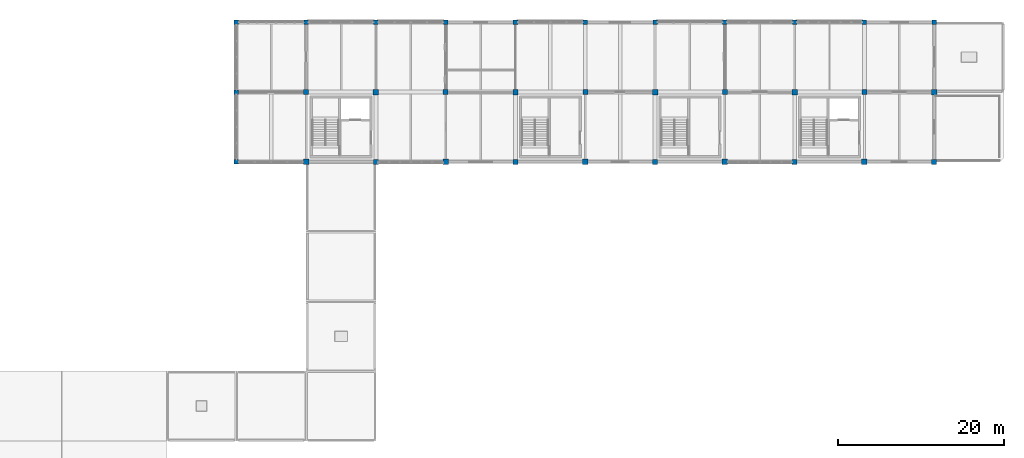
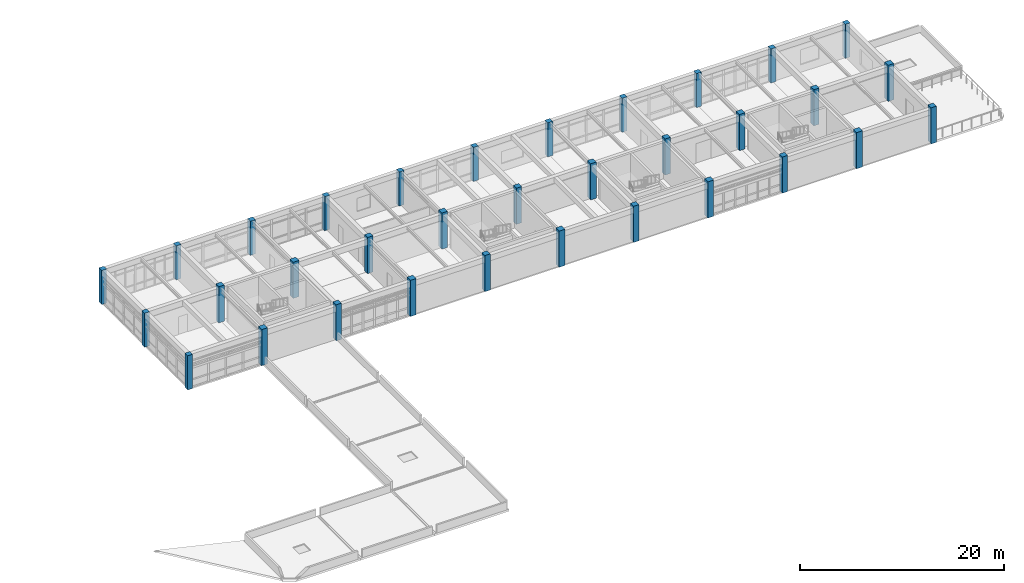
# One storey, part 1 of 18: 33 columns.
"""IFC4 building model written with IfcOpenShell, lengths in metres."""

from ifc_helpers import new_model, si_unit, direction, frame, origin, origin_2d, place, context, subcontext, project, spatial, rectangle, extrude, material, material_profile, profile_set, type_object, element, save


model = new_model("IFC4")

# Units and contexts
model_context = context("Model", 3, precision=1e-05, world=origin(), true_north=direction((0.0, 1.0)))
body_context = subcontext(model_context, "Body", "Model", "MODEL_VIEW")
ifc_project = project(units=[si_unit("LENGTHUNIT", "METRE"), si_unit("AREAUNIT", "SQUARE_METRE"), si_unit("VOLUMEUNIT", "CUBIC_METRE"), si_unit("PLANEANGLEUNIT", "RADIAN"), si_unit("MASSUNIT", "GRAM", prefix="KILO")], contexts=[model_context])

# Site, building, storey
site_placement = place(None, origin())
site = spatial("IfcSite", under=ifc_project, at=site_placement, CompositionType="ELEMENT")
building_placement = place(site_placement, origin())
building = spatial("IfcBuilding", under=site, at=building_placement, Name="Porcellanite Civic Hall", CompositionType="ELEMENT")
storey_placement = place(building_placement, frame((0.0, 0.0, 23.39990234375)))
storey = spatial("IfcBuildingStorey", under=building, at=storey_placement, Name="L05", CompositionType="ELEMENT", Elevation=23.39990234375)

# Columns
ifc_material_1 = material(Name="Concrete N50 (50 MPa)", Category="concrete")
ifc_material_profile_1 = material_profile(ifc_material_1, rectangle(XDim=0.550048828125, YDim=0.550048828125, at=origin_2d()), Name="RC-550x550")
ifc_profile_set_1 = profile_set([ifc_material_profile_1], Name="Concrete N50 (50 MPa)")
column_type_1 = type_object("IfcColumnType", Name="COL-550", PredefinedType="COLUMN", material=ifc_profile_set_1)
for number, where, z_axis, x_axis, name in (
    (1, (42.0, 100.800048828125, 0.0), (0.0, 0.0, 1.0), (1.0, 0.0, 0.0), "Column L05 5-12"),
    (2, (42.0, 109.199951171875, 0.0), (0.0, 0.0, 1.0), (1.0, 0.0, 0.0), "Column L05 5-13"),
    (3, (42.0, 117.60009765625, 0.0), (0.0, 0.0, 1.0), (1.0, 0.0, 0.0), "Column L05 5-14"),
    (4, (50.39990234375, 117.60009765625, 0.0), (0.0, 0.0, 1.0), (1.0, 0.0, 0.0), "Column L05 6-14"),
    (5, (58.800048828125, 117.60009765625, 0.0), (0.0, 0.0, 1.0), (1.0, 0.0, 0.0), "Column L05 7-14"),
    (6, (67.199951171875, 117.60009765625, 0.0), (0.0, 0.0, 1.0), (1.0, 0.0, 0.0), "Column L05 8-14"),
    (7, (75.60009765625, 117.60009765625, 0.0), (0.0, 0.0, 1.0), (1.0, 0.0, 0.0), "Column L05 9-14"),
    (8, (84.0, 117.60009765625, 0.0), (0.0, 0.0, 1.0), (1.0, 0.0, 0.0), "Column L05 10-14"),
    (9, (92.39990234375, 117.60009765625, 0.0), (0.0, 0.0, 1.0), (1.0, 0.0, 0.0), "Column L05 11-14"),
    (10, (100.800048828125, 117.60009765625, 0.0), (0.0, 0.0, 1.0), (1.0, 0.0, 0.0), "Column L05 12-14"),
    (11, (109.199951171875, 117.60009765625, 0.0), (0.0, 0.0, 1.0), (1.0, 0.0, 0.0), "Column L05 13-14"),
    (12, (117.60009765625, 117.60009765625, 0.0), (0.0, 0.0, 1.0), (1.0, 0.0, 0.0), "Column L05 14-14"),
    (13, (126.0, 117.60009765625, 0.0), (0.0, 0.0, 1.0), (1.0, 0.0, 0.0), "Column L05 15-14"),
):
    element("IfcColumn", number, at=place(storey_placement, frame(where, z_axis=z_axis, x_axis=x_axis)), inside=storey, type_object=column_type_1, Name=name, PredefinedType="COLUMN", context=body_context, shape_type="SweptSolid", body=[
        extrude(rectangle(XDim=0.550048828125, YDim=0.550048828125, at=origin_2d()), origin(), (0.0, 0.0, 1.0), 4.070068359375),
    ])
ifc_material_2 = material(Name="Concrete N50 (50 MPa)", Category="concrete")
ifc_material_profile_2 = material_profile(ifc_material_2, rectangle(XDim=0.60009765625, YDim=0.60009765625, at=origin_2d()), Name="RC-600x600")
ifc_profile_set_2 = profile_set([ifc_material_profile_2], Name="Concrete N50 (50 MPa)")
column_type_2 = type_object("IfcColumnType", Name="COL-600", PredefinedType="COLUMN", material=ifc_profile_set_2)
for number, where, z_axis, x_axis, name in (
    (14, (50.39990234375, 109.199951171875, 0.0), (0.0, 0.0, 1.0), (1.0, 0.0, 0.0), "Column L05 6-13"),
    (15, (58.800048828125, 100.800048828125, 0.0), (0.0, 0.0, 1.0), (1.0, 0.0, 0.0), "Column L05 7-12"),
    (16, (67.199951171875, 109.199951171875, 0.0), (0.0, 0.0, 1.0), (1.0, 0.0, 0.0), "Column L05 8-13"),
    (17, (75.60009765625, 100.800048828125, 0.0), (0.0, 0.0, 1.0), (1.0, 0.0, 0.0), "Column L05 9-12"),
    (18, (84.0, 109.199951171875, 0.0), (0.0, 0.0, 1.0), (1.0, 0.0, 0.0), "Column L05 10-13"),
    (19, (92.39990234375, 100.800048828125, 0.0), (0.0, 0.0, 1.0), (1.0, 0.0, 0.0), "Column L05 11-12"),
    (20, (100.800048828125, 109.199951171875, 0.0), (0.0, 0.0, 1.0), (1.0, 0.0, 0.0), "Column L05 12-13"),
    (21, (109.199951171875, 100.800048828125, 0.0), (0.0, 0.0, 1.0), (1.0, 0.0, 0.0), "Column L05 13-12"),
    (22, (117.60009765625, 109.199951171875, 0.0), (0.0, 0.0, 1.0), (1.0, 0.0, 0.0), "Column L05 14-13"),
    (23, (126.0, 100.800048828125, 0.0), (0.0, 0.0, 1.0), (1.0, 0.0, 0.0), "Column L05 15-12"),
):
    element("IfcColumn", number, at=place(storey_placement, frame(where, z_axis=z_axis, x_axis=x_axis)), inside=storey, type_object=column_type_2, Name=name, PredefinedType="COLUMN", context=body_context, shape_type="SweptSolid", body=[
        extrude(rectangle(XDim=0.60009765625, YDim=0.60009765625, at=origin_2d()), origin(), (0.0, 0.0, 1.0), 4.320068359375),
    ])
ifc_material_3 = material(Name="Concrete N50 (50 MPa)", Category="concrete")
ifc_material_profile_3 = material_profile(ifc_material_3, rectangle(XDim=0.64990234375, YDim=0.64990234375, at=origin_2d()), Name="RC-650x650")
ifc_profile_set_3 = profile_set([ifc_material_profile_3], Name="Concrete N50 (50 MPa)")
column_type_3 = type_object("IfcColumnType", Name="COL-650", PredefinedType="COLUMN", material=ifc_profile_set_3)
for number, where, z_axis, x_axis, name in (
    (24, (50.39990234375, 100.800048828125, 0.0), (0.0, 0.0, 1.0), (1.0, 0.0, 0.0), "Column L05 6-12"),
    (25, (58.800048828125, 109.199951171875, 0.0), (0.0, 0.0, 1.0), (1.0, 0.0, 0.0), "Column L05 7-13"),
    (26, (67.199951171875, 100.800048828125, 0.0), (0.0, 0.0, 1.0), (1.0, 0.0, 0.0), "Column L05 8-12"),
    (27, (75.60009765625, 109.199951171875, 0.0), (0.0, 0.0, 1.0), (1.0, 0.0, 0.0), "Column L05 9-13"),
    (28, (84.0, 100.800048828125, 0.0), (0.0, 0.0, 1.0), (1.0, 0.0, 0.0), "Column L05 10-12"),
    (29, (92.39990234375, 109.199951171875, 0.0), (0.0, 0.0, 1.0), (1.0, 0.0, 0.0), "Column L05 11-13"),
    (30, (100.800048828125, 100.800048828125, 0.0), (0.0, 0.0, 1.0), (1.0, 0.0, 0.0), "Column L05 12-12"),
    (31, (109.199951171875, 109.199951171875, 0.0), (0.0, 0.0, 1.0), (1.0, 0.0, 0.0), "Column L05 13-13"),
    (32, (117.60009765625, 100.800048828125, 0.0), (0.0, 0.0, 1.0), (1.0, 0.0, 0.0), "Column L05 14-12"),
    (33, (126.0, 109.199951171875, 0.0), (0.0, 0.0, 1.0), (1.0, 0.0, 0.0), "Column L05 15-13"),
):
    element("IfcColumn", number, at=place(storey_placement, frame(where, z_axis=z_axis, x_axis=x_axis)), inside=storey, type_object=column_type_3, Name=name, PredefinedType="COLUMN", context=body_context, shape_type="SweptSolid", body=[
        extrude(rectangle(XDim=0.64990234375, YDim=0.64990234375, at=origin_2d()), origin(), (0.0, 0.0, 1.0), 4.320068359375),
    ])

save(model, "model.ifc")
